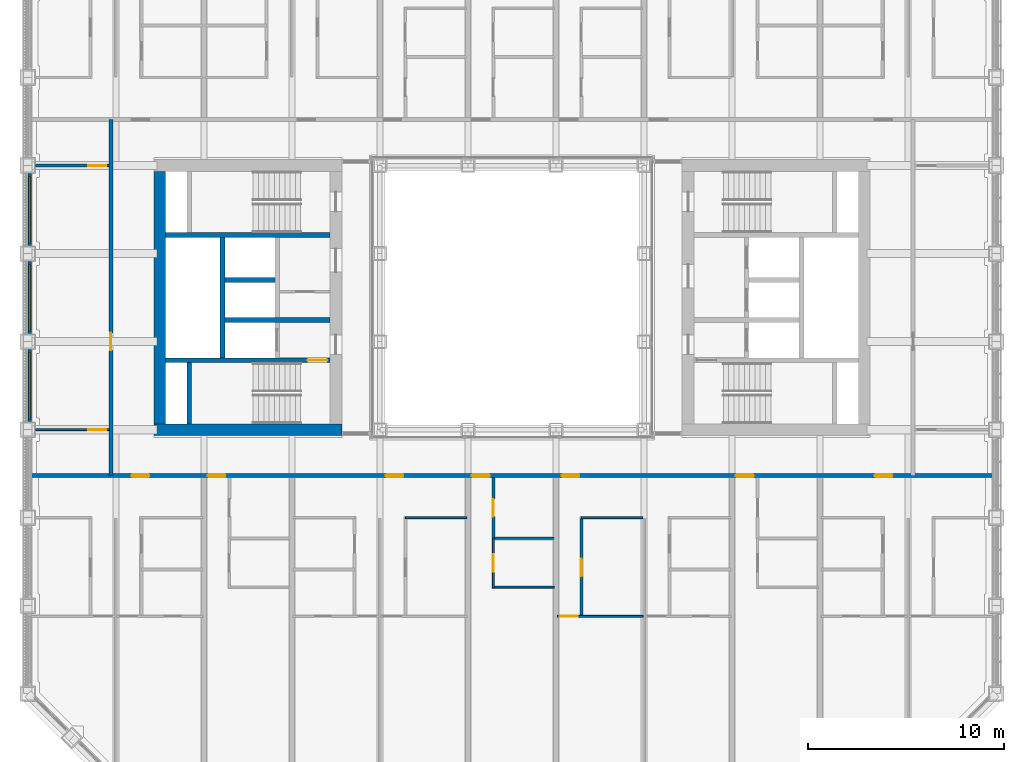
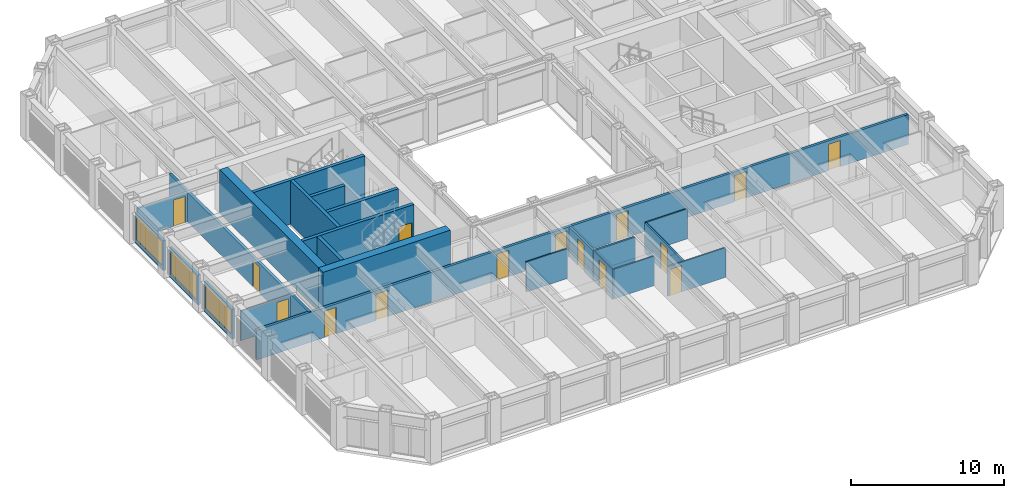
# One storey, part 10 of 21: 23 walls, 15 doors, 3 windows, 18 openings.
"""IFC4 building model written with IfcOpenShell, lengths in metres."""

import ifcopenshell
import ifcopenshell.guid

model = None  # the IFC model being written
_history = None  # IfcOwnerHistory: only IFC2X3 demands one
_inside = {}  # id of a spatial element -> (the spatial element, [elements in it])
_under = {}  # id of a project, library or spatial element -> (it, [spatial elements below it])
_declared = {}  # id of a project -> (the project, [libraries it declares])
_typed = {}  # id of a type object -> (the type object, [elements of that type])
_made_of = {}  # id of a material, layer set ... -> (it, [elements and type objects made of it])


def new_model(schema):
    """Start an empty IFC model of exactly this schema.

    Asked for "IFC4X3", IfcOpenShell would pick the latest addendum, in which some entities
    have other attributes; the version numbers below select the first issue.
    IFC2X3 requires an IfcOwnerHistory on every rooted entity: one is made here for all.
    """
    global model, _history
    if schema == "IFC4X3":
        model = ifcopenshell.file(schema_version=(4, 3, 0, 0))
    else:
        model = ifcopenshell.file(schema=schema)
    _inside.clear()
    _under.clear()
    _declared.clear()
    _typed.clear()
    _made_of.clear()
    _history = None
    if model.schema == "IFC2X3":
        org = make("IfcOrganization", Name="unknown")
        user = make(
            "IfcPersonAndOrganization",
            ThePerson=make("IfcPerson", FamilyName="unknown"),
            TheOrganization=org,
        )
        app = make(
            "IfcApplication",
            ApplicationDeveloper=org,
            Version="unknown",
            ApplicationFullName="unknown",
            ApplicationIdentifier="unknown",
        )
        _history = make(
            "IfcOwnerHistory",
            OwningUser=user,
            OwningApplication=app,
            ChangeAction="ADDED",
            CreationDate=0,
        )
    return model


def make(cls, **values):
    """One entity of the class cls with the attributes given. An attribute that is None is left unset."""
    return model.create_entity(
        cls, **{name: value for name, value in values.items() if value is not None}
    )


def rooted(cls, **values):
    """An entity with a GlobalId (a new one), such as an element, a storey or a relation."""
    return make(cls, GlobalId=ifcopenshell.guid.new(), OwnerHistory=_history, **values)


def si_unit(unit_type, name, prefix=None):
    """IfcSIUnit, for example si_unit("LENGTHUNIT", "METRE", prefix="MILLI")."""
    return make("IfcSIUnit", UnitType=unit_type, Prefix=prefix, Name=name)


def assignment(units):
    """IfcUnitAssignment: the units of a project."""
    return None if units is None else make("IfcUnitAssignment", Units=units)


def point(xyz):
    """IfcCartesianPoint."""
    return None if xyz is None else make("IfcCartesianPoint", Coordinates=xyz)


def direction(xyz):
    """IfcDirection."""
    return None if xyz is None else make("IfcDirection", DirectionRatios=xyz)


def frame(location, z_axis=None, x_axis=None):
    """IfcAxis2Placement3D, a coordinate frame: its origin and axes. An axis left out is left unset."""
    return make(
        "IfcAxis2Placement3D",
        Location=point(location),
        Axis=direction(z_axis),
        RefDirection=direction(x_axis),
    )


def frame_2d(location, x_axis=None):
    """IfcAxis2Placement2D, a coordinate frame in the plane: its origin and x axis."""
    return make(
        "IfcAxis2Placement2D", Location=point(location), RefDirection=direction(x_axis)
    )


def origin():
    """The frame at (0, 0, 0) with its axes left unset."""
    return frame((0.0, 0.0, 0.0))


def place(relative_to, where):
    """IfcLocalPlacement: puts the frame where relative to a parent placement (None: the world)."""
    return make(
        "IfcLocalPlacement", PlacementRelTo=relative_to, RelativePlacement=where
    )


def context(
    kind, dimensions, precision=None, world=None, true_north=None, identifier=None
):
    """IfcGeometricRepresentationContext, for example the 3D "Model" context."""
    return make(
        "IfcGeometricRepresentationContext",
        ContextIdentifier=identifier,
        ContextType=kind,
        CoordinateSpaceDimension=dimensions,
        Precision=precision,
        WorldCoordinateSystem=world,
        TrueNorth=true_north,
    )


def subcontext(parent, identifier, kind, view, scale=None):
    """IfcGeometricRepresentationSubContext, for example "Body" below "Model"."""
    return make(
        "IfcGeometricRepresentationSubContext",
        ContextIdentifier=identifier,
        ContextType=kind,
        ParentContext=parent,
        TargetScale=scale,
        TargetView=view,
    )


def project(units=None, contexts=None):
    """IfcProject with its units and contexts."""
    return rooted(
        "IfcProject",
        Name="project",
        RepresentationContexts=contexts,
        UnitsInContext=assignment(units),
    )


def spatial(cls, under=None, at=None, **own):
    """A site, building, storey or space (cls), placed at a placement, below another one or the project."""
    s = rooted(cls, ObjectPlacement=at, **own)
    if under is not None:
        _under.setdefault(under.id(), (under, []))[1].append(s)
    return s


def profile(cls, at=None, kind="AREA", **sizes):
    """A parametric profile (cls). Its sizes go by their IFC names, for example OverallWidth=200.0."""
    return make(cls, ProfileType=kind, Position=at, **sizes)


def rectangle(**sizes):
    """IfcRectangleProfileDef."""
    return profile("IfcRectangleProfileDef", **sizes)


def extrude(swept, where, along, depth):
    """IfcExtrudedAreaSolid: the profile swept, set in the frame where, extruded along a direction by depth."""
    return make(
        "IfcExtrudedAreaSolid",
        SweptArea=swept,
        Position=where,
        ExtrudedDirection=direction(along),
        Depth=depth,
    )


def shape(context_of_items, identifier, shape_type, items):
    """IfcShapeRepresentation: the items that make up one representation, for example the "Body"."""
    return make(
        "IfcShapeRepresentation",
        ContextOfItems=context_of_items,
        RepresentationIdentifier=identifier,
        RepresentationType=shape_type,
        Items=items,
    )


def material(Name=None, Category=None):
    """IfcMaterial."""
    return make("IfcMaterial", Name=Name, Category=Category)


def layer(
    of_material, thickness, ventilated=None, Name=None, Category=None, Priority=None
):
    """IfcMaterialLayer: one layer of a wall or slab, of a material (None: an air gap)."""
    return make(
        "IfcMaterialLayer",
        Material=of_material,
        LayerThickness=thickness,
        IsVentilated=ventilated,
        Name=Name,
        Category=Category,
        Priority=Priority,
    )


def layer_set(layers, Name=None):
    """IfcMaterialLayerSet."""
    return make("IfcMaterialLayerSet", MaterialLayers=layers, LayerSetName=Name)


def made_of(thing, what):
    """Note that an element or type object is made of a material, layer set ...; save() writes the relation."""
    if what is not None:
        _made_of.setdefault(what.id(), (what, []))[1].append(thing)
    return thing


def type_object(cls, material=None, **own):
    """A type object (cls), such as IfcWallType, which elements share."""
    return made_of(rooted(cls, **own), material)


def element(
    cls,
    number,
    at=None,
    inside=None,
    cuts=None,
    type_object=None,
    material=None,
    context=None,
    identifier="Body",
    shape_type=None,
    held_by="IfcProductDefinitionShape",
    body=None,
    shapes=None,
    **own,
):
    """One element of the class cls, such as IfcWall. Its Tag is "e" and its number.

    at: its placement. inside: the storey or other place that contains it. cuts: it is an
    opening in that element (IfcRelVoidsElement). A single representation is given by context,
    identifier, shape_type and body (its items); several are given by shapes. held_by: the class
    of the entity that holds the representations. save() writes the other relations.
    """
    e = rooted(cls, Tag="e%d" % number, ObjectPlacement=at, **own)
    if body is not None:
        shapes = [shape(context, identifier, shape_type, body)]
    if shapes is not None:
        e.Representation = make(held_by, Representations=shapes)
    if inside is not None:
        _inside.setdefault(inside.id(), (inside, []))[1].append(e)
    if cuts is not None:
        rooted(
            "IfcRelVoidsElement", RelatingBuildingElement=cuts, RelatedOpeningElement=e
        )
    if type_object is not None:
        _typed.setdefault(type_object.id(), (type_object, []))[1].append(e)
    return made_of(e, material)


def fill(opening, filler):
    """IfcRelFillsElement: the door or window that sits in an opening."""
    return rooted(
        "IfcRelFillsElement",
        RelatingOpeningElement=opening,
        RelatedBuildingElement=filler,
    )


def aggregate(whole, parts):
    """IfcRelAggregates: a whole, such as a stair, and the parts it consists of."""
    return rooted("IfcRelAggregates", RelatingObject=whole, RelatedObjects=parts)


def save(model, path):
    """Write the relations noted so far, then the file.

    IfcRelAggregates (storeys below a building ...), IfcRelContainedInSpatialStructure (elements
    in a storey), IfcRelDefinesByType, IfcRelAssociatesMaterial and IfcRelDeclares: one each for
    every whole, place, type object, material and project.
    """
    for whole, parts in _under.values():
        aggregate(whole, parts)
    for where, things in _inside.values():
        rooted(
            "IfcRelContainedInSpatialStructure",
            RelatedElements=things,
            RelatingStructure=where,
        )
    for kind, things in _typed.values():
        rooted("IfcRelDefinesByType", RelatedObjects=things, RelatingType=kind)
    for what, things in _made_of.values():
        rooted("IfcRelAssociatesMaterial", RelatedObjects=things, RelatingMaterial=what)
    for by, libraries in _declared.values():
        rooted("IfcRelDeclares", RelatingContext=by, RelatedDefinitions=libraries)
    model.write(path)


model = new_model("IFC4")

# Units and contexts
model_context = context("Model", 3, precision=1e-05, world=origin(), true_north=direction((0.0, 1.0)))
body_context = subcontext(model_context, "Body", "Model", "MODEL_VIEW")
ifc_project = project(units=[si_unit("LENGTHUNIT", "METRE"), si_unit("AREAUNIT", "SQUARE_METRE"), si_unit("VOLUMEUNIT", "CUBIC_METRE"), si_unit("PLANEANGLEUNIT", "RADIAN"), si_unit("MASSUNIT", "GRAM", prefix="KILO")], contexts=[model_context])

# Site, building, storey
site_placement = place(None, origin())
site = spatial("IfcSite", under=ifc_project, at=site_placement, CompositionType="ELEMENT")
building_placement = place(site_placement, origin())
building = spatial("IfcBuilding", under=site, at=building_placement, Name="Msasa Ring Tower", CompositionType="ELEMENT")
storey_placement = place(building_placement, frame((0.0, 0.0, 40.5)))
storey = spatial("IfcBuildingStorey", under=building, at=storey_placement, Name="L09", CompositionType="ELEMENT", Elevation=40.5)

# Walls
ifc_material_1 = material(Name="Concrete C60/75", Category="concrete")
ifc_layer_1 = layer(ifc_material_1, 0.60009765625)
ifc_layer_set_1 = layer_set([ifc_layer_1], Name="CW1 CORE WALL 600")
wall_type_1 = type_object("IfcWallType", Name="CW1 CORE WALL 600", PredefinedType="SHEAR", material=ifc_layer_set_1)
wall_1_placement = place(storey_placement, frame((-8.699951171875, -6.75, 0.0), z_axis=(0.0, 0.0, 1.0), x_axis=(-1.0, 0.0, 0.0)))
element("IfcWall", 1, at=wall_1_placement, inside=storey, type_object=wall_type_1, Name="W core wall S L09", PredefinedType="SHEAR", context=body_context, shape_type="SweptSolid", body=[
    extrude(rectangle(XDim=9.60009765625, YDim=0.60009765625, at=frame_2d((4.800048828125, 0.0))), origin(), (0.0, 0.0, 1.0), 3.5),
])
wall_2_placement = place(storey_placement, frame((-18.0, -6.449951171875, 0.0), z_axis=(0.0, 0.0, 1.0), x_axis=(0.0, 1.0, 0.0)))
element("IfcWall", 2, at=wall_2_placement, inside=storey, type_object=wall_type_1, Name="W core wall E L09", PredefinedType="SHEAR", context=body_context, shape_type="SweptSolid", body=[
    extrude(rectangle(XDim=12.89990234375, YDim=0.60009765625, at=frame_2d((6.449951171875, 0.0))), origin(), (0.0, 0.0, 1.0), 3.5),
])

# Wall, opening, door
ifc_material_2 = material(Name="Concrete C60/75", Category="concrete")
ifc_layer_2 = layer(ifc_material_2, 0.25)
ifc_layer_set_2 = layer_set([ifc_layer_2], Name="CW4 CORE INNER WALL 250")
wall_type_2 = type_object("IfcWallType", Name="CW4 CORE INNER WALL 250", PredefinedType="SHEAR", material=ifc_layer_set_2)
wall_3_placement = place(storey_placement, frame((-9.300048828125, -3.199951171875, 0.0), z_axis=(0.0, 0.0, 1.0), x_axis=(-1.0, 0.0, 0.0)))
wall_3 = element("IfcWall", 3, at=wall_3_placement, inside=storey, type_object=wall_type_2, Name="W core wall STAIRA L09", PredefinedType="SHEAR", context=body_context, shape_type="SweptSolid", body=[
    extrude(rectangle(XDim=8.39990234375, YDim=0.25, at=frame_2d((4.199951171875, 0.0))), origin(), (0.0, 0.0, 1.0), 3.5),
])
opening_1_placement = place(wall_3_placement, frame((0.14990234375, 0.0, 0.0)))
opening_1 = element("IfcOpeningElement", 4, at=opening_1_placement, cuts=wall_3, Name="Opening RB-047", PredefinedType="OPENING", context=body_context, shape_type="SweptSolid", body=[
    extrude(rectangle(XDim=1.0, YDim=2.10009765625, at=frame_2d((0.5, 1.050048828125))), frame((0.0, 0.135009765625, 0.0), z_axis=(0.0, -1.0, 0.0), x_axis=(1.0, 0.0, 0.0)), (0.0, 0.0, 1.0), 0.27001953125),
])
ifc_material_3 = material(Name="Timber door leaf in a steel frame", Category="steel")
door_type_1 = type_object("IfcDoorType", Name="D6 STAIR DOOR 1000x2100", OperationType="SINGLE_SWING_LEFT", PredefinedType="DOOR", material=ifc_material_3)
door_1_placement = place(opening_1_placement, origin())
door_1 = element("IfcDoor", 5, at=door_1_placement, inside=storey, type_object=door_type_1, Name="Door L09-WSTA", OperationType="SINGLE_SWING_LEFT", OverallHeight=2.10009765625, OverallWidth=1.0, PredefinedType="DOOR", context=body_context, shape_type="SweptSolid", body=[
    extrude(rectangle(XDim=1.0, YDim=2.10009765625, at=frame_2d((0.5, 1.050048828125))), frame((0.0, 0.02490234375, 0.0), z_axis=(0.0, -1.0, 0.0), x_axis=(1.0, 0.0, 0.0)), (0.0, 0.0, 1.0), 0.050048828125),
])
fill(opening_1, door_1)

# Walls
wall_4_placement = place(storey_placement, frame((-9.300048828125, 3.199951171875, 0.0), z_axis=(0.0, 0.0, 1.0), x_axis=(-1.0, 0.0, 0.0)))
element("IfcWall", 6, at=wall_4_placement, inside=storey, type_object=wall_type_2, Name="W core wall STAIRB L09", PredefinedType="SHEAR", context=body_context, shape_type="SweptSolid", body=[
    extrude(rectangle(XDim=8.39990234375, YDim=0.25, at=frame_2d((4.199951171875, 0.0))), origin(), (0.0, 0.0, 1.0), 3.5),
])
wall_5_placement = place(storey_placement, frame((-16.5, -6.449951171875, 0.0), z_axis=(0.0, 0.0, 1.0), x_axis=(0.0, 1.0, 0.0)))
element("IfcWall", 7, at=wall_5_placement, inside=storey, type_object=wall_type_2, Name="W core wall RISERA L09", PredefinedType="SHEAR", context=body_context, shape_type="SweptSolid", body=[
    extrude(rectangle(XDim=3.125, YDim=0.25, at=frame_2d((1.5625, 0.0))), origin(), (0.0, 0.0, 1.0), 3.5),
])
wall_6_placement = place(storey_placement, frame((-9.300048828125, -1.14990234375, 0.0), z_axis=(0.0, 0.0, 1.0), x_axis=(-1.0, 0.0, 0.0)))
element("IfcWall", 8, at=wall_6_placement, inside=storey, type_object=wall_type_2, Name="W core wall FFL L09", PredefinedType="SHEAR", context=body_context, shape_type="SweptSolid", body=[
    extrude(rectangle(XDim=5.375, YDim=0.25, at=frame_2d((2.6875, 0.0))), origin(), (0.0, 0.0, 1.0), 3.5),
])
wall_7_placement = place(storey_placement, frame((-14.800048828125, -3.074951171875, 0.0), z_axis=(0.0, 0.0, 1.0), x_axis=(0.0, 1.0, 0.0)))
element("IfcWall", 9, at=wall_7_placement, inside=storey, type_object=wall_type_2, Name="W core wall SHAFT L09", PredefinedType="SHEAR", context=body_context, shape_type="SweptSolid", body=[
    extrude(rectangle(XDim=6.14990234375, YDim=0.25, at=frame_2d((3.074951171875, 0.0))), origin(), (0.0, 0.0, 1.0), 3.5),
])
wall_8_placement = place(storey_placement, frame((-12.125, 0.89990234375, 0.0), z_axis=(0.0, 0.0, 1.0), x_axis=(-1.0, 0.0, 0.0)))
element("IfcWall", 10, at=wall_8_placement, inside=storey, type_object=wall_type_2, Name="W core wall LIFT1 L09", PredefinedType="SHEAR", context=body_context, shape_type="SweptSolid", body=[
    extrude(rectangle(XDim=2.550048828125, YDim=0.25, at=frame_2d((1.27490234375, 0.0))), origin(), (0.0, 0.0, 1.0), 3.5),
])

# Wall, opening, window
ifc_material_4 = material(Name="Terracotta rainscreen on blockwork", Category="masonry")
ifc_layer_3 = layer(ifc_material_4, 0.199951171875)
ifc_layer_set_3 = layer_set([ifc_layer_3], Name="FW1 TERRACOTTA-LINED INFILL BAY WALL 200")
wall_type_3 = type_object("IfcWallType", Name="FW1 TERRACOTTA-LINED INFILL BAY WALL 200", PredefinedType="SOLIDWALL", material=ifc_layer_set_3)
wall_9_placement = place(storey_placement, frame((-24.64990234375, -6.344970703125, 0.0), z_axis=(0.0, 0.0, 1.0), x_axis=(0.0, 1.0, 0.0)))
wall_9 = element("IfcWall", 11, at=wall_9_placement, inside=storey, type_object=wall_type_3, Name="Infill bay wall W L09 36", PredefinedType="SOLIDWALL", context=body_context, shape_type="SweptSolid", body=[
    extrude(rectangle(XDim=3.68994140625, YDim=0.199951171875, at=frame_2d((1.844970703125, 0.0))), origin(), (0.0, 0.0, 1.0), 2.37890625),
])
opening_2_placement = place(wall_9_placement, frame((0.14501953125, 0.0, 0.300048828125)))
opening_2 = element("IfcOpeningElement", 12, at=opening_2_placement, cuts=wall_9, Name="Opening WN1", PredefinedType="OPENING", context=body_context, shape_type="SweptSolid", body=[
    extrude(rectangle(XDim=3.39990234375, YDim=1.928955078125, at=frame_2d((1.699951171875, 0.96435546875))), frame((0.0, 0.10986328125, 0.0), z_axis=(0.0, -1.0, 0.0), x_axis=(1.0, 0.0, 0.0)), (0.0, 0.0, 1.0), 0.219970703125),
])
ifc_material_5 = material(Name="Aluminium frame with clear glass", Category="aluminium")
window_type = type_object("IfcWindowType", Name="WN1 RESIDENCE WINDOW 3400x1929", PartitioningType="SINGLE_PANEL", PredefinedType="WINDOW", material=ifc_material_5)
window_1_placement = place(opening_2_placement, origin())
window_1 = element("IfcWindow", 13, at=window_1_placement, inside=storey, type_object=window_type, Name="Window W L09 36", OverallHeight=1.928955078125, OverallWidth=3.39990234375, PartitioningType="SINGLE_PANEL", PredefinedType="WINDOW", context=body_context, shape_type="SweptSolid", body=[
    extrude(rectangle(XDim=3.39990234375, YDim=1.928955078125, at=frame_2d((1.699951171875, 0.96435546875))), frame((0.0, 0.030029296875, 0.0), z_axis=(0.0, -1.0, 0.0), x_axis=(1.0, 0.0, 0.0)), (0.0, 0.0, 1.0), 0.06005859375),
])
fill(opening_2, window_1)

wall_10_placement = place(storey_placement, frame((-24.64990234375, -1.844970703125, 0.0), z_axis=(0.0, 0.0, 1.0), x_axis=(0.0, 1.0, 0.0)))
wall_10 = element("IfcWall", 14, at=wall_10_placement, inside=storey, type_object=wall_type_3, Name="Infill bay wall W L09 37", PredefinedType="SOLIDWALL", context=body_context, shape_type="SweptSolid", body=[
    extrude(rectangle(XDim=3.68994140625, YDim=0.199951171875, at=frame_2d((1.844970703125, 0.0))), origin(), (0.0, 0.0, 1.0), 2.37890625),
])
opening_3_placement = place(wall_10_placement, frame((0.14501953125, 0.0, 0.300048828125)))
opening_3 = element("IfcOpeningElement", 15, at=opening_3_placement, cuts=wall_10, Name="Opening WN1", PredefinedType="OPENING", context=body_context, shape_type="SweptSolid", body=[
    extrude(rectangle(XDim=3.39990234375, YDim=1.928955078125, at=frame_2d((1.699951171875, 0.96435546875))), frame((0.0, 0.10986328125, 0.0), z_axis=(0.0, -1.0, 0.0), x_axis=(1.0, 0.0, 0.0)), (0.0, 0.0, 1.0), 0.219970703125),
])
window_2_placement = place(opening_3_placement, origin())
window_2 = element("IfcWindow", 16, at=window_2_placement, inside=storey, type_object=window_type, Name="Window W L09 37", OverallHeight=1.928955078125, OverallWidth=3.39990234375, PartitioningType="SINGLE_PANEL", PredefinedType="WINDOW", context=body_context, shape_type="SweptSolid", body=[
    extrude(rectangle(XDim=3.39990234375, YDim=1.928955078125, at=frame_2d((1.699951171875, 0.96435546875))), frame((0.0, 0.030029296875, 0.0), z_axis=(0.0, -1.0, 0.0), x_axis=(1.0, 0.0, 0.0)), (0.0, 0.0, 1.0), 0.06005859375),
])
fill(opening_3, window_2)

wall_11_placement = place(storey_placement, frame((-24.64990234375, 2.655029296875, 0.0), z_axis=(0.0, 0.0, 1.0), x_axis=(0.0, 1.0, 0.0)))
wall_11 = element("IfcWall", 17, at=wall_11_placement, inside=storey, type_object=wall_type_3, Name="Infill bay wall W L09 38", PredefinedType="SOLIDWALL", context=body_context, shape_type="SweptSolid", body=[
    extrude(rectangle(XDim=3.68994140625, YDim=0.199951171875, at=frame_2d((1.844970703125, 0.0))), origin(), (0.0, 0.0, 1.0), 2.37890625),
])
opening_4_placement = place(wall_11_placement, frame((0.14501953125, 0.0, 0.300048828125)))
opening_4 = element("IfcOpeningElement", 18, at=opening_4_placement, cuts=wall_11, Name="Opening WN1", PredefinedType="OPENING", context=body_context, shape_type="SweptSolid", body=[
    extrude(rectangle(XDim=3.39990234375, YDim=1.928955078125, at=frame_2d((1.699951171875, 0.96435546875))), frame((0.0, 0.10986328125, 0.0), z_axis=(0.0, -1.0, 0.0), x_axis=(1.0, 0.0, 0.0)), (0.0, 0.0, 1.0), 0.219970703125),
])
window_3_placement = place(opening_4_placement, origin())
window_3 = element("IfcWindow", 19, at=window_3_placement, inside=storey, type_object=window_type, Name="Window W L09 38", OverallHeight=1.928955078125, OverallWidth=3.39990234375, PartitioningType="SINGLE_PANEL", PredefinedType="WINDOW", context=body_context, shape_type="SweptSolid", body=[
    extrude(rectangle(XDim=3.39990234375, YDim=1.928955078125, at=frame_2d((1.699951171875, 0.96435546875))), frame((0.0, 0.030029296875, 0.0), z_axis=(0.0, -1.0, 0.0), x_axis=(1.0, 0.0, 0.0)), (0.0, 0.0, 1.0), 0.06005859375),
])
fill(opening_4, window_3)

# Wall, openings, doors
ifc_material_6 = material(Name="Concrete blockwork", Category="masonry")
ifc_layer_4 = layer(ifc_material_6, 0.199951171875)
ifc_layer_set_4 = layer_set([ifc_layer_4], Name="PT1 CORRIDOR WALL 200")
wall_type_4 = type_object("IfcWallType", Name="PT1 CORRIDOR WALL 200", PredefinedType="PARTITIONING", material=ifc_layer_set_4)
wall_12_placement = place(storey_placement, frame((-24.550048828125, -9.10009765625, 0.0), z_axis=(0.0, 0.0, 1.0), x_axis=(1.0, 0.0, 0.0)))
wall_12 = element("IfcWall", 20, at=wall_12_placement, inside=storey, type_object=wall_type_4, Name="Corridor wall L09-CORRS0", PredefinedType="PARTITIONING", context=body_context, shape_type="SweptSolid", body=[
    extrude(rectangle(XDim=49.10009765625, YDim=0.199951171875, at=frame_2d((24.550048828125, 0.0))), origin(), (0.0, 0.0, 1.0), 2.373291015625),
])
opening_5_placement = place(wall_12_placement, frame((5.10009765625, 0.0, 0.0)))
opening_5 = element("IfcOpeningElement", 21, at=opening_5_placement, cuts=wall_12, Name="Opening RB-053", PredefinedType="OPENING", context=body_context, shape_type="SweptSolid", body=[
    extrude(rectangle(XDim=0.89990234375, YDim=2.10009765625, at=frame_2d((0.449951171875, 1.050048828125))), frame((0.0, 0.10986328125, 0.0), z_axis=(0.0, -1.0, 0.0), x_axis=(1.0, 0.0, 0.0)), (0.0, 0.0, 1.0), 0.219970703125),
])
opening_6_placement = place(wall_12_placement, frame((9.0, 0.0, 0.0)))
opening_6 = element("IfcOpeningElement", 22, at=opening_6_placement, cuts=wall_12, Name="Opening RB-054", PredefinedType="OPENING", context=body_context, shape_type="SweptSolid", body=[
    extrude(rectangle(XDim=0.89990234375, YDim=2.10009765625, at=frame_2d((0.449951171875, 1.050048828125))), frame((0.0, 0.10986328125, 0.0), z_axis=(0.0, -1.0, 0.0), x_axis=(1.0, 0.0, 0.0)), (0.0, 0.0, 1.0), 0.219970703125),
])
opening_7_placement = place(wall_12_placement, frame((18.10009765625, 0.0, 0.0)))
opening_7 = element("IfcOpeningElement", 23, at=opening_7_placement, cuts=wall_12, Name="Opening RB-055", PredefinedType="OPENING", context=body_context, shape_type="SweptSolid", body=[
    extrude(rectangle(XDim=0.89990234375, YDim=2.10009765625, at=frame_2d((0.449951171875, 1.050048828125))), frame((0.0, 0.10986328125, 0.0), z_axis=(0.0, -1.0, 0.0), x_axis=(1.0, 0.0, 0.0)), (0.0, 0.0, 1.0), 0.219970703125),
])
opening_8_placement = place(wall_12_placement, frame((22.5, 0.0, 0.0)))
opening_8 = element("IfcOpeningElement", 24, at=opening_8_placement, cuts=wall_12, Name="Opening RB-056", PredefinedType="OPENING", context=body_context, shape_type="SweptSolid", body=[
    extrude(rectangle(XDim=0.89990234375, YDim=2.10009765625, at=frame_2d((0.449951171875, 1.050048828125))), frame((0.0, 0.10986328125, 0.0), z_axis=(0.0, -1.0, 0.0), x_axis=(1.0, 0.0, 0.0)), (0.0, 0.0, 1.0), 0.219970703125),
])
opening_9_placement = place(wall_12_placement, frame((27.10009765625, 0.0, 0.0)))
opening_9 = element("IfcOpeningElement", 25, at=opening_9_placement, cuts=wall_12, Name="Opening RB-057", PredefinedType="OPENING", context=body_context, shape_type="SweptSolid", body=[
    extrude(rectangle(XDim=0.89990234375, YDim=2.10009765625, at=frame_2d((0.449951171875, 1.050048828125))), frame((0.0, 0.10986328125, 0.0), z_axis=(0.0, -1.0, 0.0), x_axis=(1.0, 0.0, 0.0)), (0.0, 0.0, 1.0), 0.219970703125),
])
opening_10_placement = place(wall_12_placement, frame((36.0, 0.0, 0.0)))
opening_10 = element("IfcOpeningElement", 26, at=opening_10_placement, cuts=wall_12, Name="Opening RB-058", PredefinedType="OPENING", context=body_context, shape_type="SweptSolid", body=[
    extrude(rectangle(XDim=0.89990234375, YDim=2.10009765625, at=frame_2d((0.449951171875, 1.050048828125))), frame((0.0, 0.10986328125, 0.0), z_axis=(0.0, -1.0, 0.0), x_axis=(1.0, 0.0, 0.0)), (0.0, 0.0, 1.0), 0.219970703125),
])
opening_11_placement = place(wall_12_placement, frame((43.10009765625, 0.0, 0.0)))
opening_11 = element("IfcOpeningElement", 27, at=opening_11_placement, cuts=wall_12, Name="Opening RB-059", PredefinedType="OPENING", context=body_context, shape_type="SweptSolid", body=[
    extrude(rectangle(XDim=0.89990234375, YDim=2.10009765625, at=frame_2d((0.449951171875, 1.050048828125))), frame((0.0, 0.10986328125, 0.0), z_axis=(0.0, -1.0, 0.0), x_axis=(1.0, 0.0, 0.0)), (0.0, 0.0, 1.0), 0.219970703125),
])
ifc_material_7 = material(Name="Timber door leaf in a steel frame", Category="steel")
door_type_2 = type_object("IfcDoorType", Name="D2 ENTRANCE DOOR 900x2100", OperationType="SINGLE_SWING_LEFT", PredefinedType="DOOR", material=ifc_material_7)
door_2_placement = place(opening_5_placement, origin())
door_2 = element("IfcDoor", 28, at=door_2_placement, inside=storey, type_object=door_type_2, Name="Door L09-US00", OperationType="SINGLE_SWING_LEFT", OverallHeight=2.10009765625, OverallWidth=0.89990234375, PredefinedType="DOOR", context=body_context, shape_type="SweptSolid", body=[
    extrude(rectangle(XDim=0.89990234375, YDim=2.10009765625, at=frame_2d((0.449951171875, 1.050048828125))), frame((0.0, 0.02490234375, 0.0), z_axis=(0.0, -1.0, 0.0), x_axis=(1.0, 0.0, 0.0)), (0.0, 0.0, 1.0), 0.050048828125),
])
fill(opening_5, door_2)
door_3_placement = place(opening_6_placement, origin())
door_3 = element("IfcDoor", 29, at=door_3_placement, inside=storey, type_object=door_type_2, Name="Door L09-US01", OperationType="SINGLE_SWING_LEFT", OverallHeight=2.10009765625, OverallWidth=0.89990234375, PredefinedType="DOOR", context=body_context, shape_type="SweptSolid", body=[
    extrude(rectangle(XDim=0.89990234375, YDim=2.10009765625, at=frame_2d((0.449951171875, 1.050048828125))), frame((0.0, 0.02490234375, 0.0), z_axis=(0.0, -1.0, 0.0), x_axis=(1.0, 0.0, 0.0)), (0.0, 0.0, 1.0), 0.050048828125),
])
fill(opening_6, door_3)
door_4_placement = place(opening_7_placement, origin())
door_4 = element("IfcDoor", 30, at=door_4_placement, inside=storey, type_object=door_type_2, Name="Door L09-US02", OperationType="SINGLE_SWING_LEFT", OverallHeight=2.10009765625, OverallWidth=0.89990234375, PredefinedType="DOOR", context=body_context, shape_type="SweptSolid", body=[
    extrude(rectangle(XDim=0.89990234375, YDim=2.10009765625, at=frame_2d((0.449951171875, 1.050048828125))), frame((0.0, 0.02490234375, 0.0), z_axis=(0.0, -1.0, 0.0), x_axis=(1.0, 0.0, 0.0)), (0.0, 0.0, 1.0), 0.050048828125),
])
fill(opening_7, door_4)
door_5_placement = place(opening_8_placement, origin())
door_5 = element("IfcDoor", 31, at=door_5_placement, inside=storey, type_object=door_type_2, Name="Door L09-US03", OperationType="SINGLE_SWING_LEFT", OverallHeight=2.10009765625, OverallWidth=0.89990234375, PredefinedType="DOOR", context=body_context, shape_type="SweptSolid", body=[
    extrude(rectangle(XDim=0.89990234375, YDim=2.10009765625, at=frame_2d((0.449951171875, 1.050048828125))), frame((0.0, 0.02490234375, 0.0), z_axis=(0.0, -1.0, 0.0), x_axis=(1.0, 0.0, 0.0)), (0.0, 0.0, 1.0), 0.050048828125),
])
fill(opening_8, door_5)
door_6_placement = place(opening_9_placement, origin())
door_6 = element("IfcDoor", 32, at=door_6_placement, inside=storey, type_object=door_type_2, Name="Door L09-US04", OperationType="SINGLE_SWING_RIGHT", OverallHeight=2.10009765625, OverallWidth=0.89990234375, PredefinedType="DOOR", context=body_context, shape_type="SweptSolid", body=[
    extrude(rectangle(XDim=0.89990234375, YDim=2.10009765625, at=frame_2d((0.449951171875, 1.050048828125))), frame((0.0, 0.02490234375, 0.0), z_axis=(0.0, -1.0, 0.0), x_axis=(1.0, 0.0, 0.0)), (0.0, 0.0, 1.0), 0.050048828125),
])
fill(opening_9, door_6)
door_7_placement = place(opening_10_placement, origin())
door_7 = element("IfcDoor", 33, at=door_7_placement, inside=storey, type_object=door_type_2, Name="Door L09-US05", OperationType="SINGLE_SWING_RIGHT", OverallHeight=2.10009765625, OverallWidth=0.89990234375, PredefinedType="DOOR", context=body_context, shape_type="SweptSolid", body=[
    extrude(rectangle(XDim=0.89990234375, YDim=2.10009765625, at=frame_2d((0.449951171875, 1.050048828125))), frame((0.0, 0.02490234375, 0.0), z_axis=(0.0, -1.0, 0.0), x_axis=(1.0, 0.0, 0.0)), (0.0, 0.0, 1.0), 0.050048828125),
])
fill(opening_10, door_7)
door_8_placement = place(opening_11_placement, origin())
door_8 = element("IfcDoor", 34, at=door_8_placement, inside=storey, type_object=door_type_2, Name="Door L09-US06", OperationType="SINGLE_SWING_RIGHT", OverallHeight=2.10009765625, OverallWidth=0.89990234375, PredefinedType="DOOR", context=body_context, shape_type="SweptSolid", body=[
    extrude(rectangle(XDim=0.89990234375, YDim=2.10009765625, at=frame_2d((0.449951171875, 1.050048828125))), frame((0.0, 0.02490234375, 0.0), z_axis=(0.0, -1.0, 0.0), x_axis=(1.0, 0.0, 0.0)), (0.0, 0.0, 1.0), 0.050048828125),
])
fill(opening_11, door_8)

# Wall, opening, door
wall_13_placement = place(storey_placement, frame((-20.5, -9.10009765625, 0.0), z_axis=(0.0, 0.0, 1.0), x_axis=(0.0, 1.0, 0.0)))
wall_13 = element("IfcWall", 35, at=wall_13_placement, inside=storey, type_object=wall_type_4, Name="Corridor wall L09-STRW", PredefinedType="PARTITIONING", context=body_context, shape_type="SweptSolid", body=[
    extrude(rectangle(XDim=18.2001953125, YDim=0.199951171875, at=frame_2d((9.10009765625, 0.0))), origin(), (0.0, 0.0, 1.0), 2.373291015625),
])
opening_12_placement = place(wall_13_placement, frame((6.39990234375, 0.0, 0.0)))
opening_12 = element("IfcOpeningElement", 36, at=opening_12_placement, cuts=wall_13, Name="Opening RB-043", PredefinedType="OPENING", context=body_context, shape_type="SweptSolid", body=[
    extrude(rectangle(XDim=0.89990234375, YDim=2.10009765625, at=frame_2d((0.449951171875, 1.050048828125))), frame((0.0, 0.10986328125, 0.0), z_axis=(0.0, -1.0, 0.0), x_axis=(1.0, 0.0, 0.0)), (0.0, 0.0, 1.0), 0.219970703125),
])
door_9_placement = place(opening_12_placement, origin())
door_9 = element("IfcDoor", 37, at=door_9_placement, inside=storey, type_object=door_type_2, Name="Door L09-STW", OperationType="SINGLE_SWING_LEFT", OverallHeight=2.10009765625, OverallWidth=0.89990234375, PredefinedType="DOOR", context=body_context, shape_type="SweptSolid", body=[
    extrude(rectangle(XDim=0.89990234375, YDim=2.10009765625, at=frame_2d((0.449951171875, 1.050048828125))), frame((0.0, 0.02490234375, 0.0), z_axis=(0.0, -1.0, 0.0), x_axis=(1.0, 0.0, 0.0)), (0.0, 0.0, 1.0), 0.050048828125),
])
fill(opening_12, door_9)

# Walls
ifc_material_8 = material(Name="Gypsum board on steel studs", Category="steel")
ifc_layer_5 = layer(ifc_material_8, 0.10009765625)
ifc_layer_set_5 = layer_set([ifc_layer_5], Name="PT2 STUD PARTITION 100")
wall_type_5 = type_object("IfcWallType", Name="PT2 STUD PARTITION 100", PredefinedType="PARTITIONING", material=ifc_layer_set_5)
wall_14_placement = place(storey_placement, frame((-5.449951171875, -11.25, 0.0), z_axis=(0.0, 0.0, 1.0), x_axis=(1.0, 0.0, 0.0)))
element("IfcWall", 38, at=wall_14_placement, inside=storey, type_object=wall_type_5, Name="Partition L09-US02HY0", PredefinedType="PARTITIONING", context=body_context, shape_type="SweptSolid", body=[
    extrude(rectangle(XDim=3.139892578125, YDim=0.10009765625, at=frame_2d((1.56982421875, 0.0))), origin(), (0.0, 0.0, 1.0), 2.373291015625),
])
wall_15_placement = place(storey_placement, frame((-0.89990234375, -14.800048828125, 0.0), z_axis=(0.0, 0.0, 1.0), x_axis=(1.0, 0.0, 0.0)))
element("IfcWall", 39, at=wall_15_placement, inside=storey, type_object=wall_type_5, Name="Partition L09-US03KY", PredefinedType="PARTITIONING", context=body_context, shape_type="SweptSolid", body=[
    extrude(rectangle(XDim=3.0498046875, YDim=0.10009765625, at=frame_2d((1.52490234375, 0.0))), origin(), (0.0, 0.0, 1.0), 2.373291015625),
])

# Wall, opening, door
wall_16_placement = place(storey_placement, frame((-0.949951171875, -14.85009765625, 0.0), z_axis=(0.0, 0.0, 1.0), x_axis=(0.0, 1.0, 0.0)))
wall_16 = element("IfcWall", 40, at=wall_16_placement, inside=storey, type_object=wall_type_5, Name="Partition L09-US03KX", PredefinedType="PARTITIONING", context=body_context, shape_type="SweptSolid", body=[
    extrude(rectangle(XDim=2.550048828125, YDim=0.10009765625, at=frame_2d((1.27490234375, 0.0))), origin(), (0.0, 0.0, 1.0), 2.373291015625),
])
opening_13_placement = place(wall_16_placement, frame((0.840087890625, 0.0, 0.0)))
opening_13 = element("IfcOpeningElement", 41, at=opening_13_placement, cuts=wall_16, Name="Opening RB-068", PredefinedType="OPENING", context=body_context, shape_type="SweptSolid", body=[
    extrude(rectangle(XDim=0.89990234375, YDim=2.10009765625, at=frame_2d((0.449951171875, 1.050048828125))), frame((0.0, 0.06005859375, 0.0), z_axis=(0.0, -1.0, 0.0), x_axis=(1.0, 0.0, 0.0)), (0.0, 0.0, 1.0), 0.1201171875),
])
ifc_material_9 = material(Name="Timber door leaf in a steel frame", Category="steel")
door_type_3 = type_object("IfcDoorType", Name="D22 INTERNAL HALL DOOR 900x2100", OperationType="SINGLE_SWING_LEFT", PredefinedType="DOOR", material=ifc_material_9)
door_10_placement = place(opening_13_placement, origin())
door_10 = element("IfcDoor", 42, at=door_10_placement, inside=storey, type_object=door_type_3, Name="Door L09-US03K", OperationType="SINGLE_SWING_LEFT", OverallHeight=2.10009765625, OverallWidth=0.89990234375, PredefinedType="DOOR", context=body_context, shape_type="SweptSolid", body=[
    extrude(rectangle(XDim=0.89990234375, YDim=2.10009765625, at=frame_2d((0.449951171875, 1.050048828125))), frame((0.0, 0.02490234375, 0.0), z_axis=(0.0, -1.0, 0.0), x_axis=(1.0, 0.0, 0.0)), (0.0, 0.0, 1.0), 0.050048828125),
])
fill(opening_13, door_10)

# Wall
wall_17_placement = place(storey_placement, frame((3.550048828125, -11.25, 0.0), z_axis=(0.0, 0.0, 1.0), x_axis=(1.0, 0.0, 0.0)))
element("IfcWall", 43, at=wall_17_placement, inside=storey, type_object=wall_type_5, Name="Partition L09-US04HY0", PredefinedType="PARTITIONING", context=body_context, shape_type="SweptSolid", body=[
    extrude(rectangle(XDim=3.139892578125, YDim=0.10009765625, at=frame_2d((1.56982421875, 0.0))), origin(), (0.0, 0.0, 1.0), 2.373291015625),
])

# Wall, opening, door
wall_18_placement = place(storey_placement, frame((2.31005859375, -16.300048828125, 0.0), z_axis=(0.0, 0.0, 1.0), x_axis=(1.0, 0.0, 0.0)))
wall_18 = element("IfcWall", 44, at=wall_18_placement, inside=storey, type_object=wall_type_5, Name="Partition L09-US04SY0", PredefinedType="PARTITIONING", context=body_context, shape_type="SweptSolid", body=[
    extrude(rectangle(XDim=4.389892578125, YDim=0.10009765625, at=frame_2d((2.19482421875, 0.0))), origin(), (0.0, 0.0, 1.0), 2.373291015625),
])
opening_14_placement = place(wall_18_placement, frame((0.139892578125, 0.0, 0.0)))
opening_14 = element("IfcOpeningElement", 45, at=opening_14_placement, cuts=wall_18, Name="Opening RB-080", PredefinedType="OPENING", context=body_context, shape_type="SweptSolid", body=[
    extrude(rectangle(XDim=0.89990234375, YDim=2.10009765625, at=frame_2d((0.449951171875, 1.050048828125))), frame((0.0, 0.06005859375, 0.0), z_axis=(0.0, -1.0, 0.0), x_axis=(1.0, 0.0, 0.0)), (0.0, 0.0, 1.0), 0.1201171875),
])
door_11_placement = place(opening_14_placement, origin())
door_11 = element("IfcDoor", 46, at=door_11_placement, inside=storey, type_object=door_type_3, Name="Door L09-US04L", OperationType="SINGLE_SWING_LEFT", OverallHeight=2.10009765625, OverallWidth=0.89990234375, PredefinedType="DOOR", context=body_context, shape_type="SweptSolid", body=[
    extrude(rectangle(XDim=0.89990234375, YDim=2.10009765625, at=frame_2d((0.449951171875, 1.050048828125))), frame((0.0, 0.02490234375, 0.0), z_axis=(0.0, -1.0, 0.0), x_axis=(1.0, 0.0, 0.0)), (0.0, 0.0, 1.0), 0.050048828125),
])
fill(opening_14, door_11)

wall_19_placement = place(storey_placement, frame((-24.35009765625, -6.75, 0.0), z_axis=(0.0, 0.0, 1.0), x_axis=(1.0, 0.0, 0.0)))
wall_19 = element("IfcWall", 47, at=wall_19_placement, inside=storey, type_object=wall_type_5, Name="Partition L09-STWKY", PredefinedType="PARTITIONING", context=body_context, shape_type="SweptSolid", body=[
    extrude(rectangle(XDim=3.75, YDim=0.10009765625, at=frame_2d((1.875, 0.0))), origin(), (0.0, 0.0, 1.0), 2.373291015625),
])
opening_15_placement = place(wall_19_placement, frame((2.699951171875, 0.0, 0.0)))
opening_15 = element("IfcOpeningElement", 48, at=opening_15_placement, cuts=wall_19, Name="Opening RB-049", PredefinedType="OPENING", context=body_context, shape_type="SweptSolid", body=[
    extrude(rectangle(XDim=0.89990234375, YDim=2.10009765625, at=frame_2d((0.449951171875, 1.050048828125))), frame((0.0, 0.06005859375, 0.0), z_axis=(0.0, -1.0, 0.0), x_axis=(1.0, 0.0, 0.0)), (0.0, 0.0, 1.0), 0.1201171875),
])
door_12_placement = place(opening_15_placement, origin())
door_12 = element("IfcDoor", 49, at=door_12_placement, inside=storey, type_object=door_type_3, Name="Door L09-STWK", OperationType="SINGLE_SWING_RIGHT", OverallHeight=2.10009765625, OverallWidth=0.89990234375, PredefinedType="DOOR", context=body_context, shape_type="SweptSolid", body=[
    extrude(rectangle(XDim=0.89990234375, YDim=2.10009765625, at=frame_2d((0.449951171875, 1.050048828125))), frame((0.0, 0.02490234375, 0.0), z_axis=(0.0, -1.0, 0.0), x_axis=(1.0, 0.0, 0.0)), (0.0, 0.0, 1.0), 0.050048828125),
])
fill(opening_15, door_12)

ifc_material_10 = material(Name="Moisture-resistant board on steel studs with a concealed cistern and pipe void, tiled", Category="steel")
ifc_layer_6 = layer(ifc_material_10, 0.14990234375)
ifc_layer_set_6 = layer_set([ifc_layer_6], Name="PT4 BATHROOM WET WALL 150")
wall_type_6 = type_object("IfcWallType", Name="PT4 BATHROOM WET WALL 150", PredefinedType="PARTITIONING", material=ifc_layer_set_6)
wall_20_placement = place(storey_placement, frame((-0.949951171875, -12.35009765625, 0.0), z_axis=(0.0, 0.0, 1.0), x_axis=(0.0, 1.0, 0.0)))
wall_20 = element("IfcWall", 50, at=wall_20_placement, inside=storey, type_object=wall_type_6, Name="Partition L09-US03BX", PredefinedType="PARTITIONING", context=body_context, shape_type="SweptSolid", body=[
    extrude(rectangle(XDim=3.150146484375, YDim=0.14990234375, at=frame_2d((1.5751953125, 0.0))), origin(), (0.0, 0.0, 1.0), 2.373291015625),
])
opening_16_placement = place(wall_20_placement, frame((1.14990234375, 0.0, 0.0)))
opening_16 = element("IfcOpeningElement", 51, at=opening_16_placement, cuts=wall_20, Name="Opening RB-061", PredefinedType="OPENING", context=body_context, shape_type="SweptSolid", body=[
    extrude(rectangle(XDim=0.89990234375, YDim=2.10009765625, at=frame_2d((0.449951171875, 1.050048828125))), frame((0.0, 0.0849609375, 0.0), z_axis=(0.0, -1.0, 0.0), x_axis=(1.0, 0.0, 0.0)), (0.0, 0.0, 1.0), 0.169921875),
])
ifc_material_11 = material(Name="Timber door leaf in a steel frame", Category="steel")
door_type_4 = type_object("IfcDoorType", Name="D3 BATHROOM DOOR 900x2100", OperationType="SINGLE_SWING_LEFT", PredefinedType="DOOR", material=ifc_material_11)
door_13_placement = place(opening_16_placement, origin())
door_13 = element("IfcDoor", 52, at=door_13_placement, inside=storey, type_object=door_type_4, Name="Door L09-US03B", OperationType="SINGLE_SWING_LEFT", OverallHeight=2.10009765625, OverallWidth=0.89990234375, PredefinedType="DOOR", context=body_context, shape_type="SweptSolid", body=[
    extrude(rectangle(XDim=0.89990234375, YDim=2.10009765625, at=frame_2d((0.449951171875, 1.050048828125))), frame((0.0, 0.02490234375, 0.0), z_axis=(0.0, -1.0, 0.0), x_axis=(1.0, 0.0, 0.0)), (0.0, 0.0, 1.0), 0.050048828125),
])
fill(opening_16, door_13)

# Wall
wall_21_placement = place(storey_placement, frame((-0.89990234375, -12.300048828125, 0.0), z_axis=(0.0, 0.0, 1.0), x_axis=(1.0, 0.0, 0.0)))
element("IfcWall", 53, at=wall_21_placement, inside=storey, type_object=wall_type_6, Name="Partition L09-US03BY", PredefinedType="PARTITIONING", context=body_context, shape_type="SweptSolid", body=[
    extrude(rectangle(XDim=3.0498046875, YDim=0.14990234375, at=frame_2d((1.52490234375, 0.0))), origin(), (0.0, 0.0, 1.0), 2.373291015625),
])

# Wall, opening, door
wall_22_placement = place(storey_placement, frame((3.550048828125, -16.300048828125, 0.0), z_axis=(0.0, 0.0, 1.0), x_axis=(0.0, 1.0, 0.0)))
wall_22 = element("IfcWall", 54, at=wall_22_placement, inside=storey, type_object=wall_type_6, Name="Partition L09-US04SX0", PredefinedType="PARTITIONING", context=body_context, shape_type="SweptSolid", body=[
    extrude(rectangle(XDim=5.0, YDim=0.14990234375, at=frame_2d((2.5, 0.0))), origin(), (0.0, 0.0, 1.0), 2.373291015625),
])
opening_17_placement = place(wall_22_placement, frame((2.050048828125, 0.0, 0.0)))
opening_17 = element("IfcOpeningElement", 55, at=opening_17_placement, cuts=wall_22, Name="Opening RB-072", PredefinedType="OPENING", context=body_context, shape_type="SweptSolid", body=[
    extrude(rectangle(XDim=0.89990234375, YDim=2.10009765625, at=frame_2d((0.449951171875, 1.050048828125))), frame((0.0, 0.0849609375, 0.0), z_axis=(0.0, -1.0, 0.0), x_axis=(1.0, 0.0, 0.0)), (0.0, 0.0, 1.0), 0.169921875),
])
door_14_placement = place(opening_17_placement, origin())
door_14 = element("IfcDoor", 56, at=door_14_placement, inside=storey, type_object=door_type_3, Name="Door L09-US04K", OperationType="SINGLE_SWING_LEFT", OverallHeight=2.10009765625, OverallWidth=0.89990234375, PredefinedType="DOOR", context=body_context, shape_type="SweptSolid", body=[
    extrude(rectangle(XDim=0.89990234375, YDim=2.10009765625, at=frame_2d((0.449951171875, 1.050048828125))), frame((0.0, 0.02490234375, 0.0), z_axis=(0.0, -1.0, 0.0), x_axis=(1.0, 0.0, 0.0)), (0.0, 0.0, 1.0), 0.050048828125),
])
fill(opening_17, door_14)

wall_23_placement = place(storey_placement, frame((-24.35009765625, 6.75, 0.0), z_axis=(0.0, 0.0, 1.0), x_axis=(1.0, 0.0, 0.0)))
wall_23 = element("IfcWall", 57, at=wall_23_placement, inside=storey, type_object=wall_type_6, Name="Partition L09-STWBY", PredefinedType="PARTITIONING", context=body_context, shape_type="SweptSolid", body=[
    extrude(rectangle(XDim=3.75, YDim=0.14990234375, at=frame_2d((1.875, 0.0))), origin(), (0.0, 0.0, 1.0), 2.373291015625),
])
opening_18_placement = place(wall_23_placement, frame((2.699951171875, 0.0, 0.0)))
opening_18 = element("IfcOpeningElement", 58, at=opening_18_placement, cuts=wall_23, Name="Opening RB-036", PredefinedType="OPENING", context=body_context, shape_type="SweptSolid", body=[
    extrude(rectangle(XDim=0.89990234375, YDim=2.10009765625, at=frame_2d((0.449951171875, 1.050048828125))), frame((0.0, 0.0849609375, 0.0), z_axis=(0.0, -1.0, 0.0), x_axis=(1.0, 0.0, 0.0)), (0.0, 0.0, 1.0), 0.169921875),
])
door_15_placement = place(opening_18_placement, origin())
door_15 = element("IfcDoor", 59, at=door_15_placement, inside=storey, type_object=door_type_4, Name="Door L09-STWB", OperationType="SINGLE_SWING_RIGHT", OverallHeight=2.10009765625, OverallWidth=0.89990234375, PredefinedType="DOOR", context=body_context, shape_type="SweptSolid", body=[
    extrude(rectangle(XDim=0.89990234375, YDim=2.10009765625, at=frame_2d((0.449951171875, 1.050048828125))), frame((0.0, 0.02490234375, 0.0), z_axis=(0.0, -1.0, 0.0), x_axis=(1.0, 0.0, 0.0)), (0.0, 0.0, 1.0), 0.050048828125),
])
fill(opening_18, door_15)

save(model, "model.ifc")
